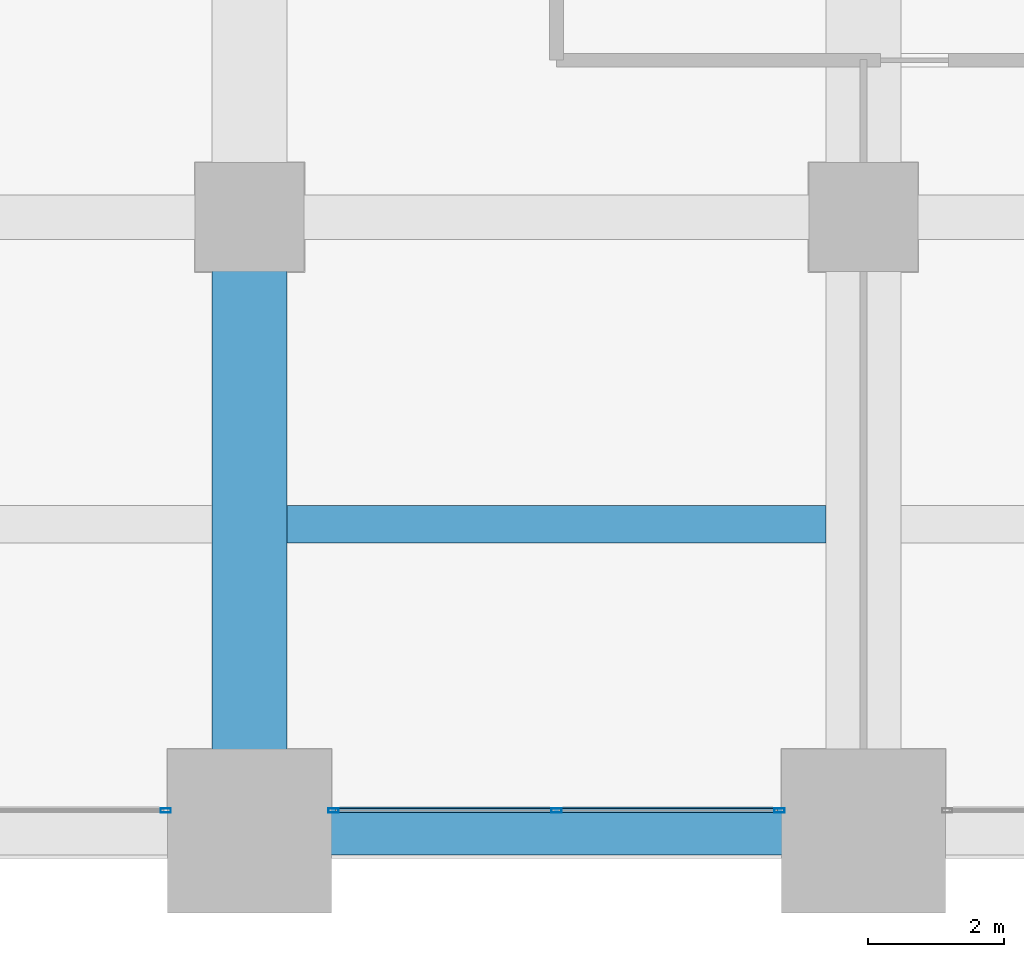
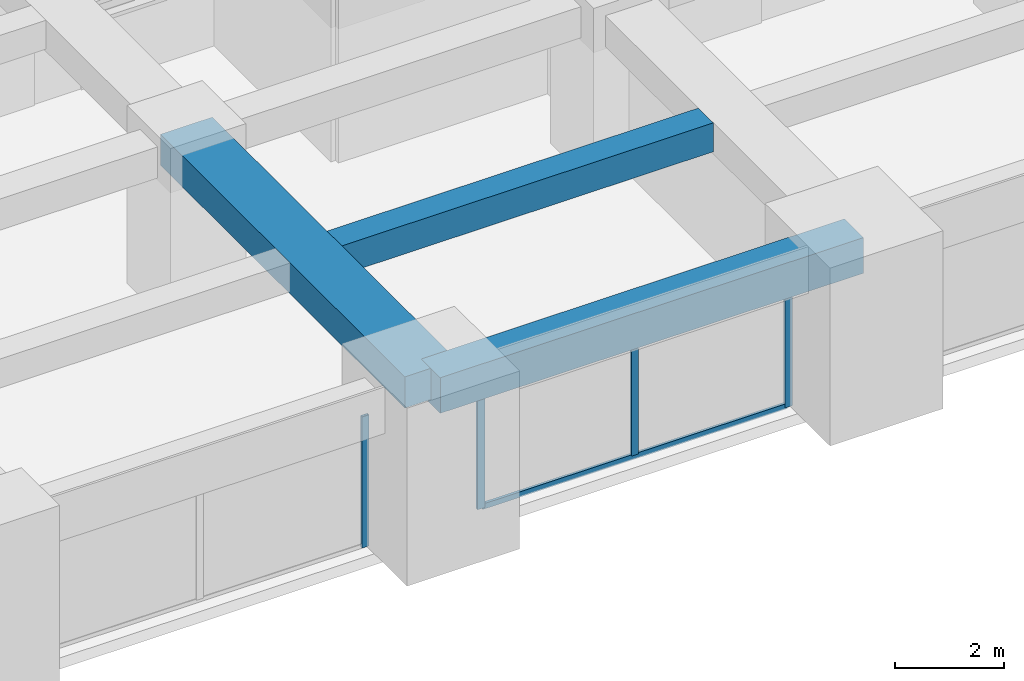
# One storey, part 6 of 33: 5 members, 3 beams, 2 elements without a shape of their own.
"""IFC4 building model written with IfcOpenShell, lengths in metres."""

from ifc_helpers import new_model, si_unit, direction, frame, origin, origin_2d, place, context, subcontext, project, spatial, rectangle, hollow_rectangle, extrude, material, material_profile, profile_set, type_object, element, aggregate, save


model = new_model("IFC4")

# Units and contexts
model_context = context("Model", 3, precision=1e-05, world=origin(), true_north=direction((0.0, 1.0)))
body_context = subcontext(model_context, "Body", "Model", "MODEL_VIEW")
ifc_project = project(units=[si_unit("LENGTHUNIT", "METRE"), si_unit("AREAUNIT", "SQUARE_METRE"), si_unit("VOLUMEUNIT", "CUBIC_METRE"), si_unit("PLANEANGLEUNIT", "RADIAN"), si_unit("MASSUNIT", "GRAM", prefix="KILO")], contexts=[model_context])

# Site, building, storey
site_placement = place(None, origin())
site = spatial("IfcSite", under=ifc_project, at=site_placement, CompositionType="ELEMENT")
building_placement = place(site_placement, origin())
building = spatial("IfcBuilding", under=site, at=building_placement, Name="Zorevar Civic Tower", CompositionType="ELEMENT")
storey_placement = place(building_placement, frame((0.0, 0.0, 194.199951171875)))
storey = spatial("IfcBuildingStorey", under=building, at=storey_placement, Name="L47", CompositionType="ELEMENT", Elevation=194.199951171875)

# Beams
ifc_material_1 = material(Name="Concrete C50/60", Category="concrete")
ifc_material_profile_1 = material_profile(ifc_material_1, rectangle(XDim=1.10009765625, YDim=0.699951171875, at=origin_2d()), Name="RC 1100x700")
ifc_profile_set_1 = profile_set([ifc_material_profile_1], Name="Concrete C50/60")
beam_type_1 = type_object("IfcBeamType", Name="Beam RC 1100x700", PredefinedType="BEAM", material=ifc_profile_set_1)
beam_1_placement = place(storey_placement, frame((18.0, 0.0, 3.400146484375), z_axis=(0.0, 1.0, 0.0), x_axis=(-1.0, 0.0, 0.0)))
element("IfcBeam", 1, at=beam_1_placement, inside=storey, type_object=beam_type_1, Name="Girder L48", PredefinedType="BEAM", context=body_context, shape_type="SweptSolid", body=[
    extrude(rectangle(XDim=1.10009765625, YDim=0.699951171875, at=origin_2d()), origin(), (0.0, 0.0, 1.0), 9.0),
])
ifc_material_2 = material(Name="Concrete C50/60", Category="concrete")
ifc_material_profile_2 = material_profile(ifc_material_2, rectangle(XDim=0.550048828125, YDim=0.64990234375, at=origin_2d()), Name="RC 550x650")
ifc_profile_set_2 = profile_set([ifc_material_profile_2], Name="Concrete C50/60")
beam_type_2 = type_object("IfcBeamType", Name="Beam RC 550x650", PredefinedType="BEAM", material=ifc_profile_set_2)
beam_2_placement = place(storey_placement, frame((18.550048828125, 4.5, 3.425048828125), z_axis=(1.0, 0.0, 0.0), x_axis=(0.0, 1.0, 0.0)))
element("IfcBeam", 2, at=beam_2_placement, inside=storey, type_object=beam_type_2, Name="Secondary beam L48", PredefinedType="BEAM", context=body_context, shape_type="SweptSolid", body=[
    extrude(rectangle(XDim=0.550048828125, YDim=0.64990234375, at=origin_2d()), origin(), (0.0, 0.0, 1.0), 7.89990234375),
])

# Curtain wall, member
ifc_material_3 = material(Name="Dark grey solar-control glass in black aluminium frame", Category="aluminium")
curtain_wall_type = type_object("IfcCurtainWallType", Name="Curtain wall CW4 high zone", PredefinedType="NOTDEFINED", material=ifc_material_3)
curtain_wall_1_placement = place(storey_placement, origin())
curtain_wall_1 = element("IfcCurtainWall", 3, at=curtain_wall_1_placement, inside=storey, type_object=curtain_wall_type, Name="CW4 L47", PredefinedType="NOTDEFINED")
ifc_material_4 = material(Name="Aluminium, black anodised", Category="aluminium")
ifc_material_profile_3 = material_profile(ifc_material_4, hollow_rectangle(XDim=0.06005859375, YDim=0.14990234375, WallThickness=0.00390625, at=origin_2d()), Name="AL 150x60x4")
ifc_profile_set_3 = profile_set([ifc_material_profile_3], Name="Aluminium, black anodised")
member_type_1 = type_object("IfcMemberType", Name="CW4 mullion AL 150x60x4", PredefinedType="MULLION", material=ifc_profile_set_3)
member_1_placement = place(storey_placement, frame((16.77001953125, 0.300048828125, 0.0), z_axis=(0.0, 0.0, 1.0), x_axis=(0.0, 1.0, 0.0)))
member_1 = element("IfcMember", 4, at=member_1_placement, type_object=member_type_1, Name="CW4 mullion 3", PredefinedType="MULLION", context=body_context, shape_type="SweptSolid", body=[
    extrude(hollow_rectangle(XDim=0.06005859375, YDim=0.14990234375, WallThickness=0.00390625, at=origin_2d()), origin(), (0.0, 0.0, 1.0), 2.949951171875),
])
aggregate(curtain_wall_1, [member_1])

# Curtain wall, members
curtain_wall_2_placement = place(storey_placement, origin())
curtain_wall_2 = element("IfcCurtainWall", 5, at=curtain_wall_2_placement, inside=storey, type_object=curtain_wall_type, Name="CW4 L47", PredefinedType="NOTDEFINED")
member_2_placement = place(storey_placement, frame((19.22998046875, 0.300048828125, 0.0), z_axis=(0.0, 0.0, 1.0), x_axis=(0.0, 1.0, 0.0)))
member_2 = element("IfcMember", 6, at=member_2_placement, type_object=member_type_1, Name="CW4 mullion 1", PredefinedType="MULLION", context=body_context, shape_type="SweptSolid", body=[
    extrude(hollow_rectangle(XDim=0.06005859375, YDim=0.14990234375, WallThickness=0.00390625, at=origin_2d()), origin(), (0.0, 0.0, 1.0), 2.949951171875),
])
member_3_placement = place(storey_placement, frame((22.5, 0.300048828125, 0.06005859375), z_axis=(0.0, 0.0, 1.0), x_axis=(0.0, 1.0, 0.0)))
member_3 = element("IfcMember", 7, at=member_3_placement, type_object=member_type_1, Name="CW4 mullion 2", PredefinedType="MULLION", context=body_context, shape_type="SweptSolid", body=[
    extrude(hollow_rectangle(XDim=0.06005859375, YDim=0.14990234375, WallThickness=0.00390625, at=origin_2d()), origin(), (0.0, 0.0, 1.0), 2.889892578125),
])
member_4_placement = place(storey_placement, frame((25.77001953125, 0.300048828125, 0.0), z_axis=(0.0, 0.0, 1.0), x_axis=(0.0, 1.0, 0.0)))
member_4 = element("IfcMember", 8, at=member_4_placement, type_object=member_type_1, Name="CW4 mullion 3", PredefinedType="MULLION", context=body_context, shape_type="SweptSolid", body=[
    extrude(hollow_rectangle(XDim=0.06005859375, YDim=0.14990234375, WallThickness=0.00390625, at=origin_2d()), origin(), (0.0, 0.0, 1.0), 2.949951171875),
])
ifc_material_5 = material(Name="Aluminium, black anodised", Category="aluminium")
ifc_material_profile_4 = material_profile(ifc_material_5, hollow_rectangle(XDim=0.06005859375, YDim=0.1201171875, WallThickness=0.0029296875, at=origin_2d()), Name="AL 120x60x3")
ifc_profile_set_4 = profile_set([ifc_material_profile_4], Name="Aluminium, black anodised")
member_type_2 = type_object("IfcMemberType", Name="CW4 transom AL 120x60x3", PredefinedType="USERDEFINED", material=ifc_profile_set_4)
member_5_placement = place(storey_placement, frame((19.260009765625, 0.300048828125, 0.030029296875), z_axis=(1.0, 0.0, 0.0), x_axis=(0.0, 1.0, 0.0)))
member_5 = element("IfcMember", 9, at=member_5_placement, type_object=member_type_2, Name="CW4 sill transom", ObjectType="TRANSOM", PredefinedType="USERDEFINED", context=body_context, shape_type="SweptSolid", body=[
    extrude(hollow_rectangle(XDim=0.06005859375, YDim=0.1201171875, WallThickness=0.0029296875, at=origin_2d()), origin(), (0.0, 0.0, 1.0), 6.47998046875),
])
aggregate(curtain_wall_2, [member_2, member_3, member_4, member_5])

# Beam
ifc_material_6 = material(Name="Concrete C50/60", Category="concrete")
ifc_material_profile_5 = material_profile(ifc_material_6, rectangle(XDim=0.699951171875, YDim=0.800048828125, at=origin_2d()), Name="RC 700x800")
ifc_profile_set_5 = profile_set([ifc_material_profile_5], Name="Concrete C50/60")
beam_type_3 = type_object("IfcBeamType", Name="Edge beam RC 700x800", PredefinedType="SPANDREL", material=ifc_profile_set_5)
beam_3_placement = place(storey_placement, frame((18.0, 0.0, 3.35009765625), z_axis=(1.0, 0.0, 0.0), x_axis=(0.0, 1.0, 0.0)))
element("IfcBeam", 10, at=beam_3_placement, inside=storey, type_object=beam_type_3, Name="Edge beam L48", PredefinedType="SPANDREL", context=body_context, shape_type="SweptSolid", body=[
    extrude(rectangle(XDim=0.699951171875, YDim=0.800048828125, at=origin_2d()), origin(), (0.0, 0.0, 1.0), 9.0),
])

save(model, "model.ifc")
